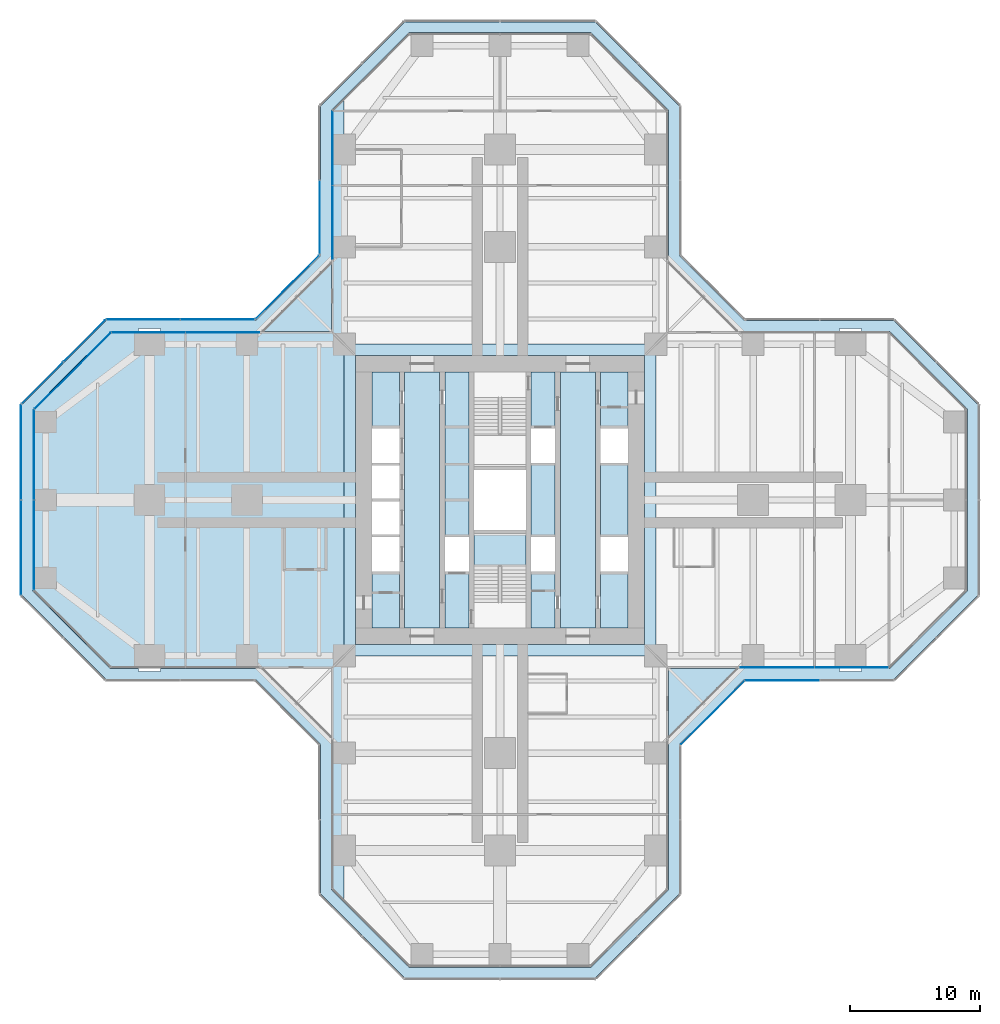
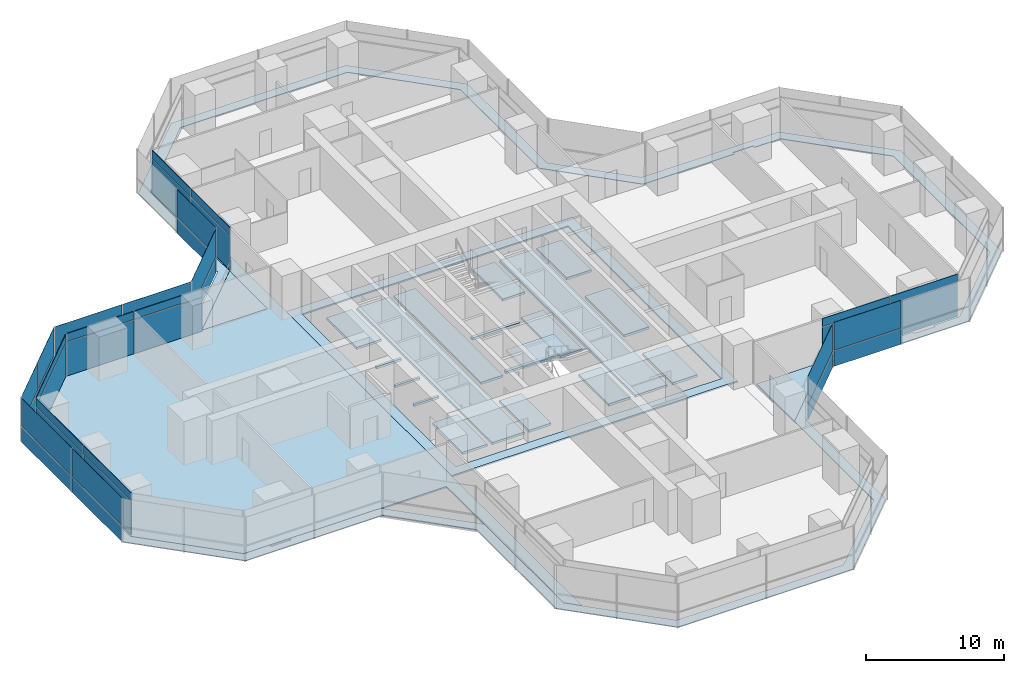
# One storey, part 15 of 22: 39 plates, 6 slabs, 13 elements without a shape of their own.
"""IFC4 building model written with IfcOpenShell, lengths in metres."""

from ifc_helpers import new_model, si_unit, direction, frame, origin, origin_2d, place, context, subcontext, project, spatial, polyline, rectangle, outline, extrude, material, layer, layer_set, type_object, element, aggregate, save


model = new_model("IFC4")

# Units and contexts
model_context = context("Model", 3, precision=1e-05, world=origin(), true_north=direction((0.0, 1.0)))
body_context = subcontext(model_context, "Body", "Model", "MODEL_VIEW")
ifc_project = project(units=[si_unit("LENGTHUNIT", "METRE"), si_unit("AREAUNIT", "SQUARE_METRE"), si_unit("VOLUMEUNIT", "CUBIC_METRE"), si_unit("PLANEANGLEUNIT", "RADIAN"), si_unit("MASSUNIT", "GRAM", prefix="KILO")], contexts=[model_context])

# Site, building, storey
site_placement = place(None, origin())
site = spatial("IfcSite", under=ifc_project, at=site_placement, CompositionType="ELEMENT")
building_placement = place(site_placement, origin())
building = spatial("IfcBuilding", under=site, at=building_placement, Name="Mizan Broadcast Tower", CompositionType="ELEMENT")
storey_placement = place(building_placement, frame((0.0, 0.0, 109.800048828125)))
storey = spatial("IfcBuildingStorey", under=building, at=storey_placement, Name="L24", CompositionType="ELEMENT", Elevation=109.800048828125)

# Plate
ifc_material_1 = material(Name="Aluminium grating", Category="aluminium")
ifc_layer_1 = layer(ifc_material_1, 0.050048828125)
ifc_layer_set_1 = layer_set([ifc_layer_1], Name="Aluminium grating")
plate_type_1 = type_object("IfcPlateType", Name="CAVITY GRATING", PredefinedType="USERDEFINED", material=ifc_layer_set_1)
plate_1_placement = place(storey_placement, frame((0.0, 0.0, -0.050048828125)))
element("IfcPlate", 1, at=plate_1_placement, inside=storey, type_object=plate_type_1, Name="Cavity grating L24", ObjectType="GRATING", PredefinedType="USERDEFINED", context=body_context, shape_type="SweptSolid", body=[
    extrude(outline(polyline([(13.820068359375, -18.839599609375), (18.839599609375, -13.820068359375), (30.339599609375, -13.820068359375), (36.820068359375, -7.339599609375), (36.820068359375, 7.339599609375), (30.339599609375, 13.820068359375), (18.839599609375, 13.820068359375), (13.820068359375, 18.839599609375), (13.820068359375, 30.339599609375), (7.339599609375, 36.820068359375), (-7.339599609375, 36.820068359375), (-13.820068359375, 30.339599609375), (-13.820068359375, 18.839599609375), (-18.839599609375, 13.820068359375), (-30.339599609375, 13.820068359375), (-36.820068359375, 7.339599609375), (-36.820068359375, -7.339599609375), (-30.339599609375, -13.820068359375), (-18.839599609375, -13.820068359375), (-13.820068359375, -18.839599609375), (-13.820068359375, -30.339599609375), (-7.339599609375, -36.820068359375), (7.339599609375, -36.820068359375), (13.820068359375, -30.339599609375), (13.820068359375, -18.839599609375)]), holes=[polyline([(36.0, 7.0), (36.0, -7.0), (30.0, -13.0), (27.85009765625, -13.0), (27.85009765625, -13.199951171875), (26.14990234375, -13.199951171875), (26.14990234375, -13.0), (18.5, -13.0), (13.0, -18.5), (13.0, -30.0), (7.0, -36.0), (-7.0, -36.0), (-13.0, -30.0), (-13.0, -18.5), (-18.5, -13.0), (-26.14990234375, -13.0), (-26.14990234375, -13.199951171875), (-27.85009765625, -13.199951171875), (-27.85009765625, -13.0), (-30.0, -13.0), (-36.0, -7.0), (-36.0, 7.0), (-30.0, 13.0), (-27.85009765625, 13.0), (-27.85009765625, 13.199951171875), (-26.14990234375, 13.199951171875), (-26.14990234375, 13.0), (-18.5, 13.0), (-13.0, 18.5), (-13.0, 30.0), (-7.0, 36.0), (7.0, 36.0), (13.0, 30.0), (13.0, 18.5), (18.5, 13.0), (26.14990234375, 13.0), (26.14990234375, 13.199951171875), (27.85009765625, 13.199951171875), (27.85009765625, 13.0), (30.0, 13.0), (36.0, 7.0)])]), origin(), (0.0, 0.0, 1.0), 0.050048828125),
])

# Slabs
ifc_material_2 = material(Name="Concrete C32/40", Category="concrete")
ifc_layer_2 = layer(ifc_material_2, 0.1298828125)
ifc_layer_set_2 = layer_set([ifc_layer_2], Name="Concrete C32/40")
slab_type_1 = type_object("IfcSlabType", Name="COMPOSITE DECK SLAB 130", PredefinedType="FLOOR", material=ifc_layer_set_2)
slab_1_placement = place(storey_placement, frame((0.0, 0.0, -0.130126953125)))
element("IfcSlab", 2, at=slab_1_placement, inside=storey, type_object=slab_type_1, Name="Floor slab L24 centre", PredefinedType="FLOOR", context=body_context, shape_type="SweptSolid", body=[
    extrude(outline(polyline([(-12.0, -12.0), (12.0, -12.0), (12.0, 12.0), (-12.0, 12.0), (-12.0, -12.0)]), holes=[polyline([(-11.14990234375, 11.14990234375), (11.14990234375, 11.14990234375), (11.14990234375, -11.14990234375), (-11.14990234375, -11.14990234375), (-11.14990234375, 11.14990234375)])]), origin(), (0.0, 0.0, 1.0), 0.130126953125),
])
slab_2_placement = place(storey_placement, frame((0.0, 0.0, -0.130126953125)))
element("IfcSlab", 3, at=slab_2_placement, inside=storey, type_object=slab_type_1, Name="Floor slab L24 west arm", PredefinedType="FLOOR", context=body_context, shape_type="SweptSolid", body=[
    extrude(outline(polyline([(-13.0, -30.0), (-12.0, -31.0), (-12.0, 31.0), (-13.0, 30.0), (-13.0, 13.0), (-30.0, 13.0), (-36.0, 7.0), (-36.0, -7.0), (-30.0, -13.0), (-13.0, -13.0), (-13.0, -30.0)])), origin(), (0.0, 0.0, 1.0), 0.130126953125),
])
ifc_material_3 = material(Name="Concrete C40/50", Category="concrete")
ifc_layer_3 = layer(ifc_material_3, 0.199951171875)
ifc_layer_set_3 = layer_set([ifc_layer_3], Name="Concrete C40/50")
slab_type_2 = type_object("IfcSlabType", Name="CORE FLOOR 200", PredefinedType="FLOOR", material=ifc_layer_set_3)
slab_3_placement = place(storey_placement, frame((0.0, 0.0, -0.199951171875)))
element("IfcSlab", 4, at=slab_3_placement, inside=storey, type_object=slab_type_2, Name="Core floor L24", PredefinedType="FLOOR", context=body_context, shape_type="SweptSolid", body=[
    extrude(outline(polyline([(-9.85009765625, -9.85009765625), (-7.75, -9.85009765625), (-7.75, -5.5), (-9.85009765625, -5.5), (-9.85009765625, -9.85009765625)])), origin(), (0.0, 0.0, 1.0), 0.199951171875),
    extrude(outline(polyline([(-9.85009765625, -2.85009765625), (-7.75, -2.85009765625), (-7.75, -2.64990234375), (-9.85009765625, -2.64990234375), (-9.85009765625, -2.85009765625)])), origin(), (0.0, 0.0, 1.0), 0.199951171875),
    extrude(outline(polyline([(-9.85009765625, -0.10009765625), (-7.75, -0.10009765625), (-7.75, 0.10009765625), (-9.85009765625, 0.10009765625), (-9.85009765625, -0.10009765625)])), origin(), (0.0, 0.0, 1.0), 0.199951171875),
    extrude(outline(polyline([(-9.85009765625, 2.64990234375), (-7.75, 2.64990234375), (-7.75, 2.85009765625), (-9.85009765625, 2.85009765625), (-9.85009765625, 2.64990234375)])), origin(), (0.0, 0.0, 1.0), 0.199951171875),
    extrude(outline(polyline([(-9.85009765625, 5.5), (-7.75, 5.5), (-7.75, 9.85009765625), (-9.85009765625, 9.85009765625), (-9.85009765625, 5.5)])), origin(), (0.0, 0.0, 1.0), 0.199951171875),
    extrude(outline(polyline([(-4.64990234375, 9.85009765625), (-7.35009765625, 9.85009765625), (-7.35009765625, -9.85009765625), (-4.64990234375, -9.85009765625), (-4.64990234375, 9.85009765625)])), origin(), (0.0, 0.0, 1.0), 0.199951171875),
    extrude(outline(polyline([(-4.25, -5.5), (-4.25, -9.85009765625), (-2.39990234375, -9.85009765625), (-2.39990234375, -5.5), (-4.25, -5.5)])), origin(), (0.0, 0.0, 1.0), 0.199951171875),
    extrude(outline(polyline([(-4.25, -2.85009765625), (-2.39990234375, -2.85009765625), (-2.39990234375, 9.85009765625), (-4.25, 9.85009765625), (-4.25, -2.85009765625)])), origin(), (0.0, 0.0, 1.0), 0.199951171875),
    extrude(outline(polyline([(2.0, -2.324951171875), (-2.0, -2.324951171875), (-2.0, -2.574951171875), (2.0, -2.574951171875), (2.0, -2.324951171875)])), origin(), (0.0, 0.0, 1.0), 0.199951171875),
    extrude(outline(polyline([(2.0, 2.574951171875), (-2.0, 2.574951171875), (-2.0, 2.324951171875), (2.0, 2.324951171875), (2.0, 2.574951171875)])), origin(), (0.0, 0.0, 1.0), 0.199951171875),
    extrude(outline(polyline([(4.25, -9.85009765625), (4.25, -5.5), (2.39990234375, -5.5), (2.39990234375, -9.85009765625), (4.25, -9.85009765625)])), origin(), (0.0, 0.0, 1.0), 0.199951171875),
    extrude(outline(polyline([(4.25, -2.85009765625), (4.25, 2.85009765625), (2.39990234375, 2.85009765625), (2.39990234375, -2.85009765625), (4.25, -2.85009765625)])), origin(), (0.0, 0.0, 1.0), 0.199951171875),
    extrude(outline(polyline([(4.25, 5.5), (4.25, 9.85009765625), (2.39990234375, 9.85009765625), (2.39990234375, 5.5), (4.25, 5.5)])), origin(), (0.0, 0.0, 1.0), 0.199951171875),
    extrude(outline(polyline([(4.64990234375, 9.85009765625), (4.64990234375, -9.85009765625), (7.35009765625, -9.85009765625), (7.35009765625, 9.85009765625), (4.64990234375, 9.85009765625)])), origin(), (0.0, 0.0, 1.0), 0.199951171875),
    extrude(outline(polyline([(9.85009765625, -9.85009765625), (9.85009765625, -5.5), (7.75, -5.5), (7.75, -9.85009765625), (9.85009765625, -9.85009765625)])), origin(), (0.0, 0.0, 1.0), 0.199951171875),
    extrude(outline(polyline([(7.75, 2.85009765625), (7.75, -2.85009765625), (9.85009765625, -2.85009765625), (9.85009765625, 2.85009765625), (7.75, 2.85009765625)])), origin(), (0.0, 0.0, 1.0), 0.199951171875),
    extrude(outline(polyline([(9.85009765625, 5.5), (9.85009765625, 9.85009765625), (7.75, 9.85009765625), (7.75, 5.5), (9.85009765625, 5.5)])), origin(), (0.0, 0.0, 1.0), 0.199951171875),
])

# Curtain wall, plates
ifc_material_4 = material(Name="Aluminium framed glazing", Category="aluminium")
curtain_wall_type_1 = type_object("IfcCurtainWallType", Name="INNER SKIN LOW ZONE", PredefinedType="USERDEFINED", material=ifc_material_4)
curtain_wall_1_placement = place(storey_placement, origin())
curtain_wall_1 = element("IfcCurtainWall", 5, at=curtain_wall_1_placement, inside=storey, type_object=curtain_wall_type_1, Name="Inner skin low zone L24 E side", ObjectType="INNER SKIN LOW ZONE", PredefinedType="USERDEFINED")
ifc_material_5 = material(Name="Double glazing, clear low-e", Category="glass")
ifc_layer_4 = layer(ifc_material_5, 0.028076171875)
ifc_layer_set_4 = layer_set([ifc_layer_4], Name="Double glazing, clear low-e")
plate_type_2 = type_object("IfcPlateType", Name="INNER SKIN GLAZING UNIT", PredefinedType="CURTAIN_PANEL", material=ifc_layer_set_4)
plate_2_placement = place(storey_placement, frame((21.379638671875, -12.89990234375, 0.0), z_axis=(0.0, 0.0, 1.0), x_axis=(1.0, 0.0, 0.0)))
plate_2 = element("IfcPlate", 6, at=plate_2_placement, type_object=plate_type_2, Name="Inner skin low zone L24 E side panel 1.1", PredefinedType="CURTAIN_PANEL", context=body_context, shape_type="SweptSolid", body=[
    extrude(rectangle(XDim=5.639404296875, YDim=0.028076171875, at=origin_2d()), origin(), (0.0, 0.0, 1.0), 3.0),
])
plate_3_placement = place(storey_placement, frame((27.078857421875, -12.89990234375, 0.0), z_axis=(0.0, 0.0, 1.0), x_axis=(1.0, 0.0, 0.0)))
plate_3 = element("IfcPlate", 7, at=plate_3_placement, type_object=plate_type_2, Name="Inner skin low zone L24 E side panel 2.1", PredefinedType="CURTAIN_PANEL", context=body_context, shape_type="SweptSolid", body=[
    extrude(rectangle(XDim=5.639404296875, YDim=0.028076171875, at=origin_2d()), origin(), (0.0, 0.0, 1.0), 3.0),
])

curtain_wall_2_placement = place(storey_placement, origin())
curtain_wall_2 = element("IfcCurtainWall", 8, at=curtain_wall_2_placement, inside=storey, type_object=curtain_wall_type_1, Name="Inner skin low zone L24 N side", ObjectType="INNER SKIN LOW ZONE", PredefinedType="USERDEFINED")
plate_4_placement = place(storey_placement, frame((-12.89990234375, 27.078857421875, 0.0), z_axis=(0.0, 0.0, 1.0), x_axis=(0.0, -1.0, 0.0)))
plate_4 = element("IfcPlate", 9, at=plate_4_placement, type_object=plate_type_2, Name="Inner skin low zone L24 N side panel 1.1", PredefinedType="CURTAIN_PANEL", context=body_context, shape_type="SweptSolid", body=[
    extrude(rectangle(XDim=5.639404296875, YDim=0.028076171875, at=origin_2d()), origin(), (0.0, 0.0, 1.0), 3.0),
])
plate_5_placement = place(storey_placement, frame((-12.89990234375, 21.379638671875, 0.0), z_axis=(0.0, 0.0, 1.0), x_axis=(0.0, -1.0, 0.0)))
plate_5 = element("IfcPlate", 10, at=plate_5_placement, type_object=plate_type_2, Name="Inner skin low zone L24 N side panel 2.1", PredefinedType="CURTAIN_PANEL", context=body_context, shape_type="SweptSolid", body=[
    extrude(rectangle(XDim=5.639404296875, YDim=0.028076171875, at=origin_2d()), origin(), (0.0, 0.0, 1.0), 3.0),
])

curtain_wall_3_placement = place(storey_placement, origin())
curtain_wall_3 = element("IfcCurtainWall", 11, at=curtain_wall_3_placement, inside=storey, type_object=curtain_wall_type_1, Name="Inner skin low zone L24 W side", ObjectType="INNER SKIN LOW ZONE", PredefinedType="USERDEFINED")
plate_6_placement = place(storey_placement, frame((-21.379638671875, 12.89990234375, 0.0), z_axis=(0.0, 0.0, 1.0), x_axis=(-1.0, 0.0, 0.0)))
plate_6 = element("IfcPlate", 12, at=plate_6_placement, type_object=plate_type_2, Name="Inner skin low zone L24 W side panel 1.1", PredefinedType="CURTAIN_PANEL", context=body_context, shape_type="SweptSolid", body=[
    extrude(rectangle(XDim=5.639404296875, YDim=0.028076171875, at=origin_2d()), origin(), (0.0, 0.0, 1.0), 3.0),
])
plate_7_placement = place(storey_placement, frame((-27.078857421875, 12.89990234375, 0.0), z_axis=(0.0, 0.0, 1.0), x_axis=(-1.0, 0.0, 0.0)))
plate_7 = element("IfcPlate", 13, at=plate_7_placement, type_object=plate_type_2, Name="Inner skin low zone L24 W side panel 2.1", PredefinedType="CURTAIN_PANEL", context=body_context, shape_type="SweptSolid", body=[
    extrude(rectangle(XDim=5.639404296875, YDim=0.028076171875, at=origin_2d()), origin(), (0.0, 0.0, 1.0), 3.0),
])

# Curtain wall, plate
curtain_wall_4_placement = place(storey_placement, origin())
curtain_wall_4 = element("IfcCurtainWall", 14, at=curtain_wall_4_placement, inside=storey, type_object=curtain_wall_type_1, Name="Inner skin low zone L24 W chamfer", ObjectType="INNER SKIN LOW ZONE", PredefinedType="USERDEFINED")
plate_8_placement = place(storey_placement, frame((-32.92919921875, 9.92919921875, 0.0), z_axis=(0.0, 0.0, 1.0), x_axis=(-0.707106781187, -0.707106781187, 0.0)))
plate_8 = element("IfcPlate", 15, at=plate_8_placement, type_object=plate_type_2, Name="Inner skin low zone L24 W chamfer panel 1.1", PredefinedType="CURTAIN_PANEL", context=body_context, shape_type="SweptSolid", body=[
    extrude(rectangle(XDim=8.282470703125, YDim=0.028076171875, at=origin_2d()), origin(), (0.0, 0.0, 1.0), 3.0),
])

# Curtain wall, plates
curtain_wall_5_placement = place(storey_placement, origin())
curtain_wall_5 = element("IfcCurtainWall", 16, at=curtain_wall_5_placement, inside=storey, type_object=curtain_wall_type_1, Name="Inner skin low zone L24 W end", ObjectType="INNER SKIN LOW ZONE", PredefinedType="USERDEFINED")
plate_9_placement = place(storey_placement, frame((-35.89990234375, 3.46435546875, 0.0), z_axis=(0.0, 0.0, 1.0), x_axis=(0.0, -1.0, 0.0)))
plate_9 = element("IfcPlate", 17, at=plate_9_placement, type_object=plate_type_2, Name="Inner skin low zone L24 W end panel 1.1", PredefinedType="CURTAIN_PANEL", context=body_context, shape_type="SweptSolid", body=[
    extrude(rectangle(XDim=6.86865234375, YDim=0.028076171875, at=origin_2d()), origin(), (0.0, 0.0, 1.0), 3.0),
])
plate_10_placement = place(storey_placement, frame((-35.89990234375, -3.46435546875, 0.0), z_axis=(0.0, 0.0, 1.0), x_axis=(0.0, -1.0, 0.0)))
plate_10 = element("IfcPlate", 18, at=plate_10_placement, type_object=plate_type_2, Name="Inner skin low zone L24 W end panel 2.1", PredefinedType="CURTAIN_PANEL", context=body_context, shape_type="SweptSolid", body=[
    extrude(rectangle(XDim=6.86865234375, YDim=0.028076171875, at=origin_2d()), origin(), (0.0, 0.0, 1.0), 3.0),
])

# Plate
ifc_material_6 = material(Name="Insulated aluminium spandrel panel, pale anodised", Category="aluminium")
ifc_layer_5 = layer(ifc_material_6, 0.050048828125)
ifc_layer_set_5 = layer_set([ifc_layer_5], Name="Insulated aluminium spandrel panel, pale anodised")
plate_type_3 = type_object("IfcPlateType", Name="INNER SKIN SPANDREL PANEL", PredefinedType="CURTAIN_PANEL", material=ifc_layer_set_5)
plate_11_placement = place(storey_placement, frame((21.379638671875, -12.89990234375, 3.06005859375), z_axis=(0.0, 0.0, 1.0), x_axis=(1.0, 0.0, 0.0)))
plate_11 = element("IfcPlate", 19, at=plate_11_placement, type_object=plate_type_3, Name="Inner skin low zone L24 E side panel 1.2", PredefinedType="CURTAIN_PANEL", context=body_context, shape_type="SweptSolid", body=[
    extrude(rectangle(XDim=5.639404296875, YDim=0.050048828125, at=origin_2d()), origin(), (0.0, 0.0, 1.0), 0.7099609375),
])

plate_12_placement = place(storey_placement, frame((27.078857421875, -12.89990234375, 3.06005859375), z_axis=(0.0, 0.0, 1.0), x_axis=(1.0, 0.0, 0.0)))
plate_12 = element("IfcPlate", 20, at=plate_12_placement, type_object=plate_type_3, Name="Inner skin low zone L24 E side panel 2.2", PredefinedType="CURTAIN_PANEL", context=body_context, shape_type="SweptSolid", body=[
    extrude(rectangle(XDim=5.639404296875, YDim=0.050048828125, at=origin_2d()), origin(), (0.0, 0.0, 1.0), 0.7099609375),
])

aggregate(curtain_wall_1, [plate_2, plate_11, plate_3, plate_12])

plate_13_placement = place(storey_placement, frame((-12.89990234375, 27.078857421875, 3.06005859375), z_axis=(0.0, 0.0, 1.0), x_axis=(0.0, -1.0, 0.0)))
plate_13 = element("IfcPlate", 21, at=plate_13_placement, type_object=plate_type_3, Name="Inner skin low zone L24 N side panel 1.2", PredefinedType="CURTAIN_PANEL", context=body_context, shape_type="SweptSolid", body=[
    extrude(rectangle(XDim=5.639404296875, YDim=0.050048828125, at=origin_2d()), origin(), (0.0, 0.0, 1.0), 0.7099609375),
])

plate_14_placement = place(storey_placement, frame((-12.89990234375, 21.379638671875, 3.06005859375), z_axis=(0.0, 0.0, 1.0), x_axis=(0.0, -1.0, 0.0)))
plate_14 = element("IfcPlate", 22, at=plate_14_placement, type_object=plate_type_3, Name="Inner skin low zone L24 N side panel 2.2", PredefinedType="CURTAIN_PANEL", context=body_context, shape_type="SweptSolid", body=[
    extrude(rectangle(XDim=5.639404296875, YDim=0.050048828125, at=origin_2d()), origin(), (0.0, 0.0, 1.0), 0.7099609375),
])

aggregate(curtain_wall_2, [plate_4, plate_13, plate_5, plate_14])

plate_15_placement = place(storey_placement, frame((-21.379638671875, 12.89990234375, 3.06005859375), z_axis=(0.0, 0.0, 1.0), x_axis=(-1.0, 0.0, 0.0)))
plate_15 = element("IfcPlate", 23, at=plate_15_placement, type_object=plate_type_3, Name="Inner skin low zone L24 W side panel 1.2", PredefinedType="CURTAIN_PANEL", context=body_context, shape_type="SweptSolid", body=[
    extrude(rectangle(XDim=5.639404296875, YDim=0.050048828125, at=origin_2d()), origin(), (0.0, 0.0, 1.0), 0.7099609375),
])

plate_16_placement = place(storey_placement, frame((-27.078857421875, 12.89990234375, 3.06005859375), z_axis=(0.0, 0.0, 1.0), x_axis=(-1.0, 0.0, 0.0)))
plate_16 = element("IfcPlate", 24, at=plate_16_placement, type_object=plate_type_3, Name="Inner skin low zone L24 W side panel 2.2", PredefinedType="CURTAIN_PANEL", context=body_context, shape_type="SweptSolid", body=[
    extrude(rectangle(XDim=5.639404296875, YDim=0.050048828125, at=origin_2d()), origin(), (0.0, 0.0, 1.0), 0.7099609375),
])

aggregate(curtain_wall_3, [plate_6, plate_15, plate_7, plate_16])

plate_17_placement = place(storey_placement, frame((-32.92919921875, 9.92919921875, 3.06005859375), z_axis=(0.0, 0.0, 1.0), x_axis=(-0.707106781187, -0.707106781187, 0.0)))
plate_17 = element("IfcPlate", 25, at=plate_17_placement, type_object=plate_type_3, Name="Inner skin low zone L24 W chamfer panel 1.2", PredefinedType="CURTAIN_PANEL", context=body_context, shape_type="SweptSolid", body=[
    extrude(rectangle(XDim=8.282470703125, YDim=0.050048828125, at=origin_2d()), origin(), (0.0, 0.0, 1.0), 0.7099609375),
])

aggregate(curtain_wall_4, [plate_8, plate_17])

plate_18_placement = place(storey_placement, frame((-35.89990234375, 3.46435546875, 3.06005859375), z_axis=(0.0, 0.0, 1.0), x_axis=(0.0, -1.0, 0.0)))
plate_18 = element("IfcPlate", 26, at=plate_18_placement, type_object=plate_type_3, Name="Inner skin low zone L24 W end panel 1.2", PredefinedType="CURTAIN_PANEL", context=body_context, shape_type="SweptSolid", body=[
    extrude(rectangle(XDim=6.86865234375, YDim=0.050048828125, at=origin_2d()), origin(), (0.0, 0.0, 1.0), 0.7099609375),
])

plate_19_placement = place(storey_placement, frame((-35.89990234375, -3.46435546875, 3.06005859375), z_axis=(0.0, 0.0, 1.0), x_axis=(0.0, -1.0, 0.0)))
plate_19 = element("IfcPlate", 27, at=plate_19_placement, type_object=plate_type_3, Name="Inner skin low zone L24 W end panel 2.2", PredefinedType="CURTAIN_PANEL", context=body_context, shape_type="SweptSolid", body=[
    extrude(rectangle(XDim=6.86865234375, YDim=0.050048828125, at=origin_2d()), origin(), (0.0, 0.0, 1.0), 0.7099609375),
])

aggregate(curtain_wall_5, [plate_9, plate_18, plate_10, plate_19])

# Curtain wall, plates
ifc_material_7 = material(Name="Aluminium framed glazing", Category="aluminium")
curtain_wall_type_2 = type_object("IfcCurtainWallType", Name="OUTER SKIN", PredefinedType="USERDEFINED", material=ifc_material_7)
curtain_wall_6_placement = place(storey_placement, origin())
curtain_wall_6 = element("IfcCurtainWall", 28, at=curtain_wall_6_placement, inside=storey, type_object=curtain_wall_type_2, Name="Outer skin L24 W chamfer", ObjectType="OUTER SKIN", PredefinedType="USERDEFINED")
ifc_material_8 = material(Name="Laminated clear glass", Category="glass")
ifc_layer_6 = layer(ifc_material_8, 0.02001953125)
ifc_layer_set_6 = layer_set([ifc_layer_6], Name="Laminated clear glass")
plate_type_4 = type_object("IfcPlateType", Name="OUTER SKIN CLEAR GLASS", PredefinedType="CURTAIN_PANEL", material=ifc_layer_set_6)
plate_20_placement = place(storey_placement, frame((-16.386474609375, 16.386474609375, 0.0), z_axis=(0.0, 0.0, 1.0), x_axis=(-0.707106781187, -0.707106781187, 0.0)))
plate_20 = element("IfcPlate", 29, at=plate_20_placement, type_object=plate_type_4, Name="Outer skin L24 W chamfer panel 1.1", PredefinedType="CURTAIN_PANEL", context=body_context, shape_type="SweptSolid", body=[
    extrude(rectangle(XDim=6.87255859375, YDim=0.02001953125, at=origin_2d()), origin(), (0.0, 0.0, 1.0), 1.3701171875),
])
plate_21_placement = place(storey_placement, frame((-16.386474609375, 16.386474609375, 1.43017578125), z_axis=(0.0, 0.0, 1.0), x_axis=(-0.707106781187, -0.707106781187, 0.0)))
plate_21 = element("IfcPlate", 30, at=plate_21_placement, type_object=plate_type_4, Name="Outer skin L24 W chamfer panel 1.2", PredefinedType="CURTAIN_PANEL", context=body_context, shape_type="SweptSolid", body=[
    extrude(rectangle(XDim=6.87255859375, YDim=0.02001953125, at=origin_2d()), origin(), (0.0, 0.0, 1.0), 2.469970703125),
])
aggregate(curtain_wall_6, [plate_20, plate_21])

curtain_wall_7_placement = place(storey_placement, origin())
curtain_wall_7 = element("IfcCurtainWall", 31, at=curtain_wall_7_placement, inside=storey, type_object=curtain_wall_type_2, Name="Outer skin L24 W side", ObjectType="OUTER SKIN", PredefinedType="USERDEFINED")
plate_22_placement = place(storey_placement, frame((-21.767822265625, 13.89990234375, 0.0), z_axis=(0.0, 0.0, 1.0), x_axis=(-1.0, 0.0, 0.0)))
plate_22 = element("IfcPlate", 32, at=plate_22_placement, type_object=plate_type_4, Name="Outer skin L24 W side panel 1.1", PredefinedType="CURTAIN_PANEL", context=body_context, shape_type="SweptSolid", body=[
    extrude(rectangle(XDim=5.6298828125, YDim=0.02001953125, at=origin_2d()), origin(), (0.0, 0.0, 1.0), 1.3701171875),
])
plate_23_placement = place(storey_placement, frame((-21.767822265625, 13.89990234375, 1.43017578125), z_axis=(0.0, 0.0, 1.0), x_axis=(-1.0, 0.0, 0.0)))
plate_23 = element("IfcPlate", 33, at=plate_23_placement, type_object=plate_type_4, Name="Outer skin L24 W side panel 1.2", PredefinedType="CURTAIN_PANEL", context=body_context, shape_type="SweptSolid", body=[
    extrude(rectangle(XDim=5.6298828125, YDim=0.02001953125, at=origin_2d()), origin(), (0.0, 0.0, 1.0), 2.469970703125),
])
plate_24_placement = place(storey_placement, frame((-27.477783203125, 13.89990234375, 0.0), z_axis=(0.0, 0.0, 1.0), x_axis=(-1.0, 0.0, 0.0)))
plate_24 = element("IfcPlate", 34, at=plate_24_placement, type_object=plate_type_4, Name="Outer skin L24 W side panel 2.1", PredefinedType="CURTAIN_PANEL", context=body_context, shape_type="SweptSolid", body=[
    extrude(rectangle(XDim=5.6298828125, YDim=0.02001953125, at=origin_2d()), origin(), (0.0, 0.0, 1.0), 1.3701171875),
])
plate_25_placement = place(storey_placement, frame((-27.477783203125, 13.89990234375, 1.43017578125), z_axis=(0.0, 0.0, 1.0), x_axis=(-1.0, 0.0, 0.0)))
plate_25 = element("IfcPlate", 35, at=plate_25_placement, type_object=plate_type_4, Name="Outer skin L24 W side panel 2.2", PredefinedType="CURTAIN_PANEL", context=body_context, shape_type="SweptSolid", body=[
    extrude(rectangle(XDim=5.6298828125, YDim=0.02001953125, at=origin_2d()), origin(), (0.0, 0.0, 1.0), 2.469970703125),
])
aggregate(curtain_wall_7, [plate_22, plate_23, plate_24, plate_25])

curtain_wall_8_placement = place(storey_placement, origin())
curtain_wall_8 = element("IfcCurtainWall", 36, at=curtain_wall_8_placement, inside=storey, type_object=curtain_wall_type_2, Name="Outer skin L24 W chamfer", ObjectType="OUTER SKIN", PredefinedType="USERDEFINED")
plate_26_placement = place(storey_placement, frame((-32.018798828125, 12.254150390625, 0.0), z_axis=(0.0, 0.0, 1.0), x_axis=(-0.707106781187, -0.707106781187, 0.0)))
plate_26 = element("IfcPlate", 37, at=plate_26_placement, type_object=plate_type_4, Name="Outer skin L24 W chamfer panel 1.1", PredefinedType="CURTAIN_PANEL", context=body_context, shape_type="SweptSolid", body=[
    extrude(rectangle(XDim=4.495361328125, YDim=0.02001953125, at=origin_2d()), origin(), (0.0, 0.0, 1.0), 1.3701171875),
])
plate_27_placement = place(storey_placement, frame((-32.018798828125, 12.254150390625, 1.43017578125), z_axis=(0.0, 0.0, 1.0), x_axis=(-0.707106781187, -0.707106781187, 0.0)))
plate_27 = element("IfcPlate", 38, at=plate_27_placement, type_object=plate_type_4, Name="Outer skin L24 W chamfer panel 1.2", PredefinedType="CURTAIN_PANEL", context=body_context, shape_type="SweptSolid", body=[
    extrude(rectangle(XDim=4.495361328125, YDim=0.02001953125, at=origin_2d()), origin(), (0.0, 0.0, 1.0), 2.469970703125),
])

curtain_wall_9_placement = place(storey_placement, origin())
curtain_wall_9 = element("IfcCurtainWall", 39, at=curtain_wall_9_placement, inside=storey, type_object=curtain_wall_type_2, Name="Outer skin L24 W end", ObjectType="OUTER SKIN", PredefinedType="USERDEFINED")
plate_28_placement = place(storey_placement, frame((-36.89990234375, 3.66650390625, 0.0), z_axis=(0.0, 0.0, 1.0), x_axis=(0.0, -1.0, 0.0)))
plate_28 = element("IfcPlate", 40, at=plate_28_placement, type_object=plate_type_4, Name="Outer skin L24 W end panel 1.1", PredefinedType="CURTAIN_PANEL", context=body_context, shape_type="SweptSolid", body=[
    extrude(rectangle(XDim=7.252685546875, YDim=0.02001953125, at=origin_2d()), origin(), (0.0, 0.0, 1.0), 1.3701171875),
])
plate_29_placement = place(storey_placement, frame((-36.89990234375, 3.66650390625, 1.43017578125), z_axis=(0.0, 0.0, 1.0), x_axis=(0.0, -1.0, 0.0)))
plate_29 = element("IfcPlate", 41, at=plate_29_placement, type_object=plate_type_4, Name="Outer skin L24 W end panel 1.2", PredefinedType="CURTAIN_PANEL", context=body_context, shape_type="SweptSolid", body=[
    extrude(rectangle(XDim=7.252685546875, YDim=0.02001953125, at=origin_2d()), origin(), (0.0, 0.0, 1.0), 2.469970703125),
])

curtain_wall_10_placement = place(storey_placement, origin())
curtain_wall_10 = element("IfcCurtainWall", 42, at=curtain_wall_10_placement, inside=storey, type_object=curtain_wall_type_2, Name="Outer skin L24 E chamfer", ObjectType="OUTER SKIN", PredefinedType="USERDEFINED")
plate_30_placement = place(storey_placement, frame((16.386474609375, -16.386474609375, 0.0), z_axis=(0.0, 0.0, 1.0), x_axis=(0.707106781187, 0.707106781187, 0.0)))
plate_30 = element("IfcPlate", 43, at=plate_30_placement, type_object=plate_type_4, Name="Outer skin L24 E chamfer panel 1.1", PredefinedType="CURTAIN_PANEL", context=body_context, shape_type="SweptSolid", body=[
    extrude(rectangle(XDim=6.87255859375, YDim=0.02001953125, at=origin_2d()), origin(), (0.0, 0.0, 1.0), 1.3701171875),
])
plate_31_placement = place(storey_placement, frame((16.386474609375, -16.386474609375, 1.43017578125), z_axis=(0.0, 0.0, 1.0), x_axis=(0.707106781187, 0.707106781187, 0.0)))
plate_31 = element("IfcPlate", 44, at=plate_31_placement, type_object=plate_type_4, Name="Outer skin L24 E chamfer panel 1.2", PredefinedType="CURTAIN_PANEL", context=body_context, shape_type="SweptSolid", body=[
    extrude(rectangle(XDim=6.87255859375, YDim=0.02001953125, at=origin_2d()), origin(), (0.0, 0.0, 1.0), 2.469970703125),
])
aggregate(curtain_wall_10, [plate_30, plate_31])

curtain_wall_11_placement = place(storey_placement, origin())
curtain_wall_11 = element("IfcCurtainWall", 45, at=curtain_wall_11_placement, inside=storey, type_object=curtain_wall_type_2, Name="Outer skin L24 E side", ObjectType="OUTER SKIN", PredefinedType="USERDEFINED")
plate_32_placement = place(storey_placement, frame((21.767822265625, -13.89990234375, 0.0), z_axis=(0.0, 0.0, 1.0), x_axis=(1.0, 0.0, 0.0)))
plate_32 = element("IfcPlate", 46, at=plate_32_placement, type_object=plate_type_4, Name="Outer skin L24 E side panel 1.1", PredefinedType="CURTAIN_PANEL", context=body_context, shape_type="SweptSolid", body=[
    extrude(rectangle(XDim=5.6298828125, YDim=0.02001953125, at=origin_2d()), origin(), (0.0, 0.0, 1.0), 1.3701171875),
])
plate_33_placement = place(storey_placement, frame((21.767822265625, -13.89990234375, 1.43017578125), z_axis=(0.0, 0.0, 1.0), x_axis=(1.0, 0.0, 0.0)))
plate_33 = element("IfcPlate", 47, at=plate_33_placement, type_object=plate_type_4, Name="Outer skin L24 E side panel 1.2", PredefinedType="CURTAIN_PANEL", context=body_context, shape_type="SweptSolid", body=[
    extrude(rectangle(XDim=5.6298828125, YDim=0.02001953125, at=origin_2d()), origin(), (0.0, 0.0, 1.0), 2.469970703125),
])
aggregate(curtain_wall_11, [plate_32, plate_33])

curtain_wall_12_placement = place(storey_placement, origin())
curtain_wall_12 = element("IfcCurtainWall", 48, at=curtain_wall_12_placement, inside=storey, type_object=curtain_wall_type_2, Name="Outer skin L24 N side", ObjectType="OUTER SKIN", PredefinedType="USERDEFINED")
ifc_material_9 = material(Name="Perforated aluminium, pale anodised", Category="aluminium")
ifc_layer_7 = layer(ifc_material_9, 0.011962890625)
ifc_layer_set_7 = layer_set([ifc_layer_7], Name="Perforated aluminium, pale anodised")
plate_type_5 = type_object("IfcPlateType", Name="OUTER SKIN PERFORATED SCREEN", PredefinedType="USERDEFINED", material=ifc_layer_set_7)
plate_34_placement = place(storey_placement, frame((-13.89990234375, 21.767822265625, 0.0), z_axis=(0.0, 0.0, 1.0), x_axis=(0.0, -1.0, 0.0)))
plate_34 = element("IfcPlate", 49, at=plate_34_placement, type_object=plate_type_5, Name="Outer skin L24 N side panel 2.1", ObjectType="SCREEN", PredefinedType="USERDEFINED", context=body_context, shape_type="SweptSolid", body=[
    extrude(rectangle(XDim=5.6298828125, YDim=0.011962890625, at=origin_2d()), origin(), (0.0, 0.0, 1.0), 1.3701171875),
])
plate_35_placement = place(storey_placement, frame((-13.89990234375, 21.767822265625, 1.43017578125), z_axis=(0.0, 0.0, 1.0), x_axis=(0.0, -1.0, 0.0)))
plate_35 = element("IfcPlate", 50, at=plate_35_placement, type_object=plate_type_5, Name="Outer skin L24 N side panel 2.2", ObjectType="SCREEN", PredefinedType="USERDEFINED", context=body_context, shape_type="SweptSolid", body=[
    extrude(rectangle(XDim=5.6298828125, YDim=0.011962890625, at=origin_2d()), origin(), (0.0, 0.0, 1.0), 2.469970703125),
])
aggregate(curtain_wall_12, [plate_34, plate_35])

# Plate
plate_36_placement = place(storey_placement, frame((-35.254150390625, 9.018798828125, 0.0), z_axis=(0.0, 0.0, 1.0), x_axis=(-0.707106781187, -0.707106781187, 0.0)))
plate_36 = element("IfcPlate", 51, at=plate_36_placement, type_object=plate_type_5, Name="Outer skin L24 W chamfer panel 2.1", ObjectType="SCREEN", PredefinedType="USERDEFINED", context=body_context, shape_type="SweptSolid", body=[
    extrude(rectangle(XDim=4.495361328125, YDim=0.011962890625, at=origin_2d()), origin(), (0.0, 0.0, 1.0), 1.3701171875),
])

plate_37_placement = place(storey_placement, frame((-35.254150390625, 9.018798828125, 1.43017578125), z_axis=(0.0, 0.0, 1.0), x_axis=(-0.707106781187, -0.707106781187, 0.0)))
plate_37 = element("IfcPlate", 52, at=plate_37_placement, type_object=plate_type_5, Name="Outer skin L24 W chamfer panel 2.2", ObjectType="SCREEN", PredefinedType="USERDEFINED", context=body_context, shape_type="SweptSolid", body=[
    extrude(rectangle(XDim=4.495361328125, YDim=0.011962890625, at=origin_2d()), origin(), (0.0, 0.0, 1.0), 2.469970703125),
])

aggregate(curtain_wall_8, [plate_26, plate_27, plate_36, plate_37])

plate_38_placement = place(storey_placement, frame((-36.89990234375, -3.66650390625, 0.0), z_axis=(0.0, 0.0, 1.0), x_axis=(0.0, -1.0, 0.0)))
plate_38 = element("IfcPlate", 53, at=plate_38_placement, type_object=plate_type_5, Name="Outer skin L24 W end panel 2.1", ObjectType="SCREEN", PredefinedType="USERDEFINED", context=body_context, shape_type="SweptSolid", body=[
    extrude(rectangle(XDim=7.252685546875, YDim=0.011962890625, at=origin_2d()), origin(), (0.0, 0.0, 1.0), 1.3701171875),
])

plate_39_placement = place(storey_placement, frame((-36.89990234375, -3.66650390625, 1.43017578125), z_axis=(0.0, 0.0, 1.0), x_axis=(0.0, -1.0, 0.0)))
plate_39 = element("IfcPlate", 54, at=plate_39_placement, type_object=plate_type_5, Name="Outer skin L24 W end panel 2.2", ObjectType="SCREEN", PredefinedType="USERDEFINED", context=body_context, shape_type="SweptSolid", body=[
    extrude(rectangle(XDim=7.252685546875, YDim=0.011962890625, at=origin_2d()), origin(), (0.0, 0.0, 1.0), 2.469970703125),
])

aggregate(curtain_wall_9, [plate_28, plate_29, plate_38, plate_39])

# Stair, slab
ifc_material_10 = material(Name="Concrete C40/50", Category="concrete")
stair_type = type_object("IfcStairType", Name="EXIT STAIR", PredefinedType="HALF_TURN_STAIR", material=ifc_material_10)
stair_placement = place(storey_placement, origin())
stair = element("IfcStair", 55, at=stair_placement, inside=storey, type_object=stair_type, Name="Stair A L24", PredefinedType="HALF_TURN_STAIR")
ifc_material_11 = material(Name="Concrete C40/50", Category="concrete")
ifc_layer_8 = layer(ifc_material_11, 0.199951171875)
ifc_layer_set_8 = layer_set([ifc_layer_8], Name="Concrete C40/50")
slab_type_3 = type_object("IfcSlabType", Name="STAIR LANDING 200", PredefinedType="LANDING", material=ifc_layer_set_8)
slab_4_placement = place(storey_placement, frame((0.0, 0.0, 1.75)))
slab_4 = element("IfcSlab", 56, at=slab_4_placement, type_object=slab_type_3, Name="A landing 2", PredefinedType="LANDING", context=body_context, shape_type="SweptSolid", body=[
    extrude(outline(polyline([(-2.0, -5.10009765625), (-2.0, -2.574951171875), (2.0, -2.574951171875), (2.0, -5.10009765625), (-2.0, -5.10009765625)])), origin(), (0.0, 0.0, 1.0), 0.199951171875),
])
aggregate(stair, [slab_4])

# Slabs
ifc_material_12 = material(Name="Concrete C32/40", Category="concrete")
ifc_layer_9 = layer(ifc_material_12, 0.1298828125)
ifc_layer_set_9 = layer_set([ifc_layer_9], Name="Concrete C32/40")
slab_type_4 = type_object("IfcSlabType", Name="WINTER GARDEN SLAB 130", PredefinedType="FLOOR", material=ifc_layer_set_9)
slab_5_placement = place(storey_placement, frame((0.0, 0.0, -0.130126953125)))
element("IfcSlab", 57, at=slab_5_placement, inside=storey, type_object=slab_type_4, Name="Winter garden slab L24 N", PredefinedType="FLOOR", context=body_context, shape_type="SweptSolid", body=[
    extrude(outline(polyline([(-13.0, 13.0), (-13.0, 18.5), (-18.5, 13.0), (-13.0, 13.0)])), origin(), (0.0, 0.0, 1.0), 0.130126953125),
])
slab_6_placement = place(storey_placement, frame((0.0, 0.0, -0.130126953125)))
element("IfcSlab", 58, at=slab_6_placement, inside=storey, type_object=slab_type_4, Name="Winter garden slab L24 S", PredefinedType="FLOOR", context=body_context, shape_type="SweptSolid", body=[
    extrude(outline(polyline([(13.0, -13.0), (13.0, -18.5), (18.5, -13.0), (13.0, -13.0)])), origin(), (0.0, 0.0, 1.0), 0.130126953125),
])

save(model, "model.ifc")
